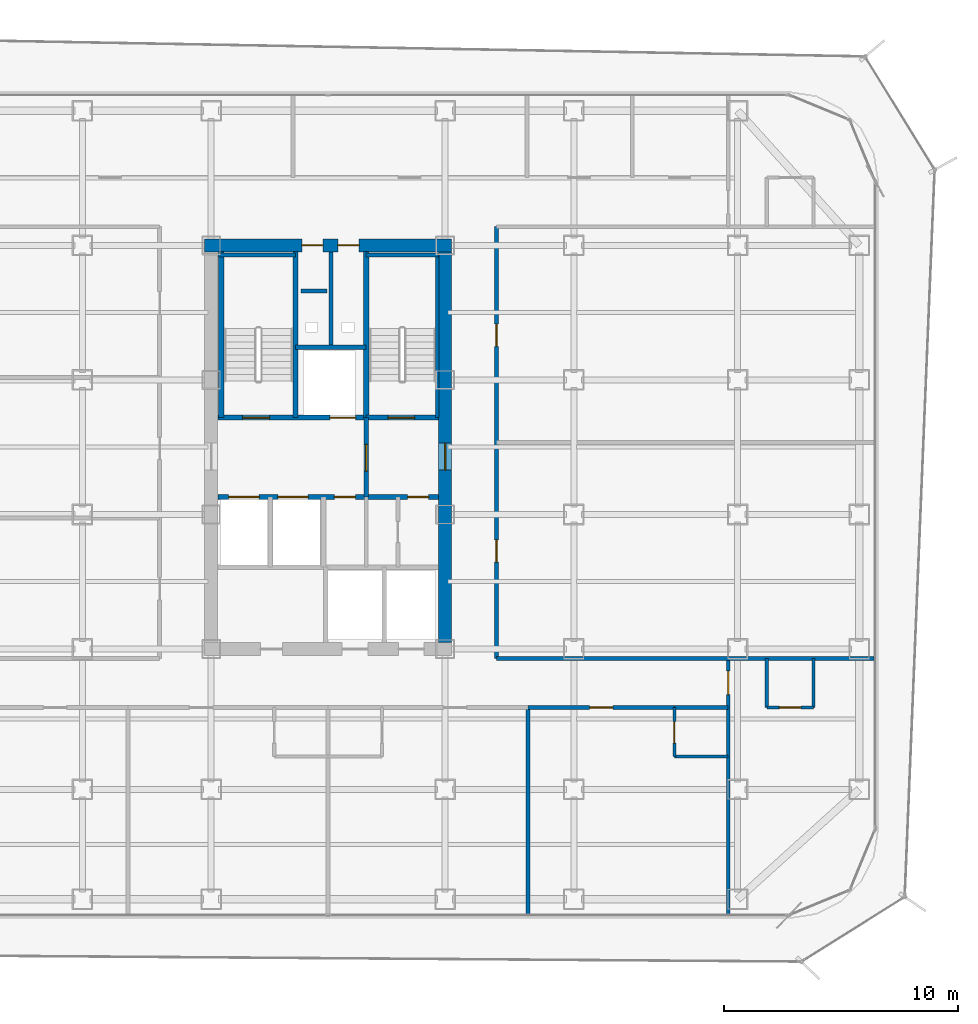
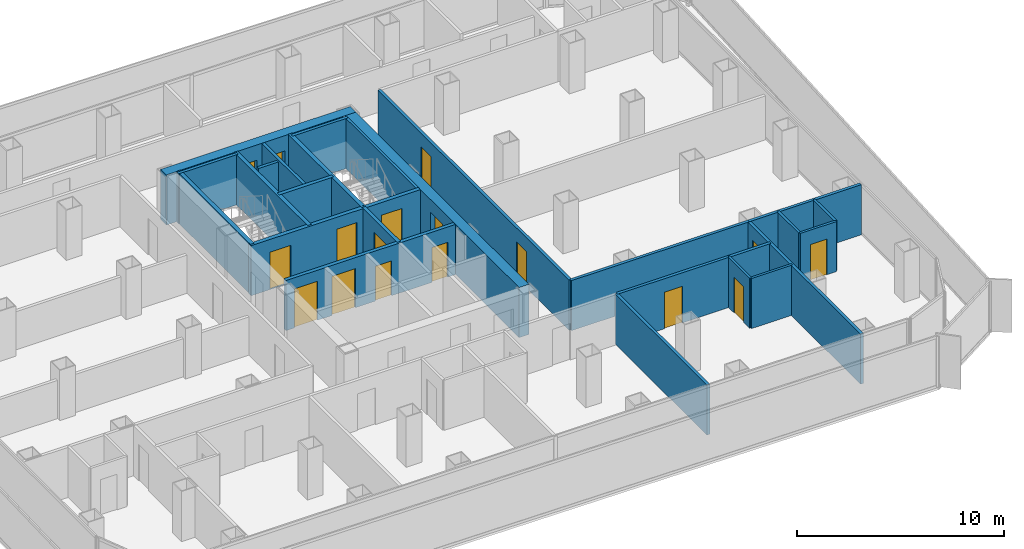
# One storey, part 17 of 21: 27 walls, 17 doors, 17 openings.
"""IFC4 building model written with IfcOpenShell, lengths in metres."""

from ifc_helpers import new_model, si_unit, direction, frame, frame_2d, origin, place, context, subcontext, project, spatial, rectangle, extrude, material, layer, layer_set, type_object, element, fill, save


model = new_model("IFC4")

# Units and contexts
model_context = context("Model", 3, precision=1e-05, world=origin(), true_north=direction((0.0, 1.0)))
body_context = subcontext(model_context, "Body", "Model", "MODEL_VIEW")
ifc_project = project(units=[si_unit("LENGTHUNIT", "METRE"), si_unit("AREAUNIT", "SQUARE_METRE"), si_unit("VOLUMEUNIT", "CUBIC_METRE"), si_unit("PLANEANGLEUNIT", "RADIAN"), si_unit("MASSUNIT", "GRAM", prefix="KILO")], contexts=[model_context])

# Site, building, storey
site_placement = place(None, origin())
site = spatial("IfcSite", under=ifc_project, at=site_placement, CompositionType="ELEMENT")
building_placement = place(site_placement, origin())
building = spatial("IfcBuilding", under=site, at=building_placement, Name="Kolveth Station Tower", CompositionType="ELEMENT")
storey_placement = place(building_placement, frame((0.0, 0.0, 105.5)))
storey = spatial("IfcBuildingStorey", under=building, at=storey_placement, Name="L28", CompositionType="ELEMENT", Elevation=105.5)

# Wall, openings, doors
ifc_material_1 = material(Name="Concrete C60/75", Category="concrete")
ifc_layer_1 = layer(ifc_material_1, 0.550048828125)
ifc_layer_set_1 = layer_set([ifc_layer_1], Name="Concrete C60/75")
wall_type_1 = type_object("IfcWallType", Name="Wall_CW-550", PredefinedType="SHEAR", material=ifc_layer_set_1)
wall_1_placement = place(storey_placement, frame((18.22509765625, 28.75, 0.0), z_axis=(0.0, 0.0, 1.0), x_axis=(1.0, 0.0, 0.0)))
wall_1 = element("IfcWall", 1, at=wall_1_placement, inside=storey, type_object=wall_type_1, Name="L28 Core RC Shear Wall N", PredefinedType="SHEAR", context=body_context, shape_type="SweptSolid", body=[
    extrude(rectangle(XDim=10.5498046875, YDim=0.550048828125, at=frame_2d((5.27490234375, 0.0))), origin(), (0.0, 0.0, 1.0), 2.949951171875),
])
opening_1_placement = place(wall_1_placement, frame((4.155029296875, 0.0, 0.0)))
opening_1 = element("IfcOpeningElement", 2, at=opening_1_placement, cuts=wall_1, Name="Opening RD1", PredefinedType="OPENING", context=body_context, shape_type="SweptSolid", body=[
    extrude(rectangle(XDim=0.89990234375, YDim=2.050048828125, at=frame_2d((0.449951171875, 1.02490234375))), frame((0.0, 0.284912109375, 0.0), z_axis=(0.0, -1.0, 0.0), x_axis=(1.0, 0.0, 0.0)), (0.0, 0.0, 1.0), 0.570068359375),
])
opening_2_placement = place(wall_1_placement, frame((5.695068359375, 0.0, 0.0)))
opening_2 = element("IfcOpeningElement", 3, at=opening_2_placement, cuts=wall_1, Name="Opening RD1", PredefinedType="OPENING", context=body_context, shape_type="SweptSolid", body=[
    extrude(rectangle(XDim=0.89990234375, YDim=2.050048828125, at=frame_2d((0.449951171875, 1.02490234375))), frame((0.0, 0.284912109375, 0.0), z_axis=(0.0, -1.0, 0.0), x_axis=(1.0, 0.0, 0.0)), (0.0, 0.0, 1.0), 0.570068359375),
])
ifc_material_2 = material(Name="Fire-rated Steel S355 riser access leaf", Category="steel")
door_type_1 = type_object("IfcDoorType", Name="Door_RD1", OperationType="NOTDEFINED", PredefinedType="DOOR", material=ifc_material_2)
door_1_placement = place(opening_1_placement, origin())
door_1 = element("IfcDoor", 4, at=door_1_placement, inside=storey, type_object=door_type_1, Name="L28 Electrical Riser Access Door", OperationType="SINGLE_SWING_LEFT", OverallHeight=2.050048828125, OverallWidth=0.89990234375, PredefinedType="DOOR", context=body_context, shape_type="SweptSolid", body=[
    extrude(rectangle(XDim=0.89990234375, YDim=2.050048828125, at=frame_2d((0.449951171875, 1.02490234375))), frame((0.0, 0.02490234375, 0.0), z_axis=(0.0, -1.0, 0.0), x_axis=(1.0, 0.0, 0.0)), (0.0, 0.0, 1.0), 0.050048828125),
])
fill(opening_1, door_1)
door_2_placement = place(opening_2_placement, origin())
door_2 = element("IfcDoor", 5, at=door_2_placement, inside=storey, type_object=door_type_1, Name="L28 Smoke Duct Access Door", OperationType="SINGLE_SWING_RIGHT", OverallHeight=2.050048828125, OverallWidth=0.89990234375, PredefinedType="DOOR", context=body_context, shape_type="SweptSolid", body=[
    extrude(rectangle(XDim=0.89990234375, YDim=2.050048828125, at=frame_2d((0.449951171875, 1.02490234375))), frame((0.0, 0.02490234375, 0.0), z_axis=(0.0, -1.0, 0.0), x_axis=(1.0, 0.0, 0.0)), (0.0, 0.0, 1.0), 0.050048828125),
])
fill(opening_2, door_2)

# Wall, opening, door
wall_2_placement = place(storey_placement, frame((28.5, 11.77490234375, 0.0), z_axis=(0.0, 0.0, 1.0), x_axis=(0.0, 1.0, 0.0)))
wall_2 = element("IfcWall", 6, at=wall_2_placement, inside=storey, type_object=wall_type_1, Name="L28 Core RC Shear Wall E", PredefinedType="SHEAR", context=body_context, shape_type="SweptSolid", body=[
    extrude(rectangle(XDim=16.7001953125, YDim=0.550048828125, at=frame_2d((8.35009765625, 0.0))), origin(), (0.0, 0.0, 1.0), 2.949951171875),
])
opening_3_placement = place(wall_2_placement, frame((7.375, 0.0, 0.0)))
opening_3 = element("IfcOpeningElement", 7, at=opening_3_placement, cuts=wall_2, Name="Opening FD1", PredefinedType="OPENING", context=body_context, shape_type="SweptSolid", body=[
    extrude(rectangle(XDim=1.14990234375, YDim=2.199951171875, at=frame_2d((0.574951171875, 1.10009765625))), frame((0.0, 0.284912109375, 0.0), z_axis=(0.0, -1.0, 0.0), x_axis=(1.0, 0.0, 0.0)), (0.0, 0.0, 1.0), 0.570068359375),
])
ifc_material_3 = material(Name="Fire-rated Steel S355 leaf and frame", Category="steel")
door_type_2 = type_object("IfcDoorType", Name="Door_FD1", OperationType="NOTDEFINED", PredefinedType="DOOR", material=ifc_material_3)
door_3_placement = place(opening_3_placement, origin())
door_3 = element("IfcDoor", 8, at=door_3_placement, inside=storey, type_object=door_type_2, Name="L28 East Corridor to Stair Lobby Door", OperationType="SINGLE_SWING_RIGHT", OverallHeight=2.199951171875, OverallWidth=1.14990234375, PredefinedType="DOOR", context=body_context, shape_type="SweptSolid", body=[
    extrude(rectangle(XDim=1.14990234375, YDim=2.199951171875, at=frame_2d((0.574951171875, 1.10009765625))), frame((0.0, 0.02490234375, 0.0), z_axis=(0.0, -1.0, 0.0), x_axis=(1.0, 0.0, 0.0)), (0.0, 0.0, 1.0), 0.050048828125),
])
fill(opening_3, door_3)

# Walls
ifc_material_4 = material(Name="Moisture-resistant gypsum partition")
ifc_layer_2 = layer(ifc_material_4, 0.135009765625)
ifc_layer_set_2 = layer_set([ifc_layer_2], Name="Moisture-resistant gypsum partition")
wall_type_2 = type_object("IfcWallType", Name="Wall_IW-135", PredefinedType="PARTITIONING", material=ifc_layer_set_2)
wall_3_placement = place(storey_placement, frame((28.16748046875, 21.389892578125, 0.0), z_axis=(0.0, 0.0, 1.0), x_axis=(0.0, 1.0, 0.0)))
element("IfcWall", 9, at=wall_3_placement, inside=storey, type_object=wall_type_2, Name="L28 Stair Shaft Wall WL-L28-ST2-E", PredefinedType="PARTITIONING", context=body_context, shape_type="SweptSolid", body=[
    extrude(rectangle(XDim=6.945068359375, YDim=0.135009765625, at=frame_2d((3.47265625, 0.0))), origin(), (0.0, 0.0, 1.0), 2.949951171875),
])
for number, where, z_axis, x_axis, name in (
    (10, (42.25, 9.0, 0.0), (0.0, 0.0, 1.0), (0.0, 1.0, 0.0), "L28 Partition Wall WL-L28-ES1-BV1"),
    (11, (44.25, 9.0, 0.0), (0.0, 0.0, 1.0), (0.0, 1.0, 0.0), "L28 Partition Wall WL-L28-ES1-BV2"),
):
    element("IfcWall", number, at=place(storey_placement, frame(where, z_axis=z_axis, x_axis=x_axis)), inside=storey, type_object=wall_type_2, Name=name, PredefinedType="PARTITIONING", context=body_context, shape_type="SweptSolid", body=[
        extrude(rectangle(XDim=2.10009765625, YDim=0.135009765625, at=frame_2d((1.050048828125, 0.0))), origin(), (0.0, 0.0, 1.0), 2.949951171875),
    ])

# Wall, opening, door
wall_4_placement = place(storey_placement, frame((42.25, 9.0, 0.0), z_axis=(0.0, 0.0, 1.0), x_axis=(1.0, 0.0, 0.0)))
wall_4 = element("IfcWall", 12, at=wall_4_placement, inside=storey, type_object=wall_type_2, Name="L28 Partition Wall WL-L28-ES1-BH", PredefinedType="PARTITIONING", context=body_context, shape_type="SweptSolid", body=[
    extrude(rectangle(XDim=2.0, YDim=0.135009765625, at=frame_2d((1.0, 0.0))), origin(), (0.0, 0.0, 1.0), 2.949951171875),
])
opening_4_placement = place(wall_4_placement, frame((0.5400390625, 0.0, 0.0)))
opening_4 = element("IfcOpeningElement", 13, at=opening_4_placement, cuts=wall_4, Name="Opening ID2", PredefinedType="OPENING", context=body_context, shape_type="SweptSolid", body=[
    extrude(rectangle(XDim=0.919921875, YDim=2.10009765625, at=frame_2d((0.4599609375, 1.050048828125))), frame((0.0, 0.077392578125, 0.0), z_axis=(0.0, -1.0, 0.0), x_axis=(1.0, 0.0, 0.0)), (0.0, 0.0, 1.0), 0.155029296875),
])
ifc_material_5 = material(Name="Moisture-resistant hardwood leaf", Category="wood")
door_type_3 = type_object("IfcDoorType", Name="Door_ID2", OperationType="NOTDEFINED", PredefinedType="DOOR", material=ifc_material_5)
door_4_placement = place(opening_4_placement, origin())
door_4 = element("IfcDoor", 14, at=door_4_placement, inside=storey, type_object=door_type_3, Name="L28 Hotel Guest Room ES1 En-Suite Door", OperationType="SINGLE_SWING_LEFT", OverallHeight=2.10009765625, OverallWidth=0.919921875, PredefinedType="DOOR", context=body_context, shape_type="SweptSolid", body=[
    extrude(rectangle(XDim=0.919921875, YDim=2.10009765625, at=frame_2d((0.4599609375, 1.050048828125))), frame((0.0, 0.02490234375, 0.0), z_axis=(0.0, -1.0, 0.0), x_axis=(1.0, 0.0, 0.0)), (0.0, 0.0, 1.0), 0.050048828125),
])
fill(opening_4, door_4)

wall_5_placement = place(storey_placement, frame((38.300048828125, 6.89990234375, 0.0), z_axis=(0.0, 0.0, 1.0), x_axis=(0.0, 1.0, 0.0)))
wall_5 = element("IfcWall", 15, at=wall_5_placement, inside=storey, type_object=wall_type_2, Name="L28 Partition Wall WL-L28-HS4-BV", PredefinedType="PARTITIONING", context=body_context, shape_type="SweptSolid", body=[
    extrude(rectangle(XDim=2.10009765625, YDim=0.135009765625, at=frame_2d((1.050048828125, 0.0))), origin(), (0.0, 0.0, 1.0), 2.949951171875),
])
opening_5_placement = place(wall_5_placement, frame((0.580078125, 0.0, 0.0)))
opening_5 = element("IfcOpeningElement", 16, at=opening_5_placement, cuts=wall_5, Name="Opening ID2", PredefinedType="OPENING", context=body_context, shape_type="SweptSolid", body=[
    extrude(rectangle(XDim=0.919921875, YDim=2.10009765625, at=frame_2d((0.4599609375, 1.050048828125))), frame((0.0, 0.077392578125, 0.0), z_axis=(0.0, -1.0, 0.0), x_axis=(1.0, 0.0, 0.0)), (0.0, 0.0, 1.0), 0.155029296875),
])
door_5_placement = place(opening_5_placement, origin())
door_5 = element("IfcDoor", 17, at=door_5_placement, inside=storey, type_object=door_type_3, Name="L28 Hotel Corner Suite HS4 En-Suite Door", OperationType="SINGLE_SWING_LEFT", OverallHeight=2.10009765625, OverallWidth=0.919921875, PredefinedType="DOOR", context=body_context, shape_type="SweptSolid", body=[
    extrude(rectangle(XDim=0.919921875, YDim=2.10009765625, at=frame_2d((0.4599609375, 1.050048828125))), frame((0.0, 0.02490234375, 0.0), z_axis=(0.0, -1.0, 0.0), x_axis=(1.0, 0.0, 0.0)), (0.0, 0.0, 1.0), 0.050048828125),
])
fill(opening_5, door_5)

# Walls
wall_6_placement = place(storey_placement, frame((38.300048828125, 6.89990234375, 0.0), z_axis=(0.0, 0.0, 1.0), x_axis=(1.0, 0.0, 0.0)))
element("IfcWall", 18, at=wall_6_placement, inside=storey, type_object=wall_type_2, Name="L28 Partition Wall WL-L28-HS4-BH", PredefinedType="PARTITIONING", context=body_context, shape_type="SweptSolid", body=[
    extrude(rectangle(XDim=2.300048828125, YDim=0.135009765625, at=frame_2d((1.14990234375, 0.0))), origin(), (0.0, 0.0, 1.0), 2.949951171875),
])
ifc_material_6 = material(Name="Acoustic double-stud gypsum partition")
ifc_layer_3 = layer(ifc_material_6, 0.1650390625)
ifc_layer_set_3 = layer_set([ifc_layer_3], Name="Acoustic double-stud gypsum partition")
wall_type_3 = type_object("IfcWallType", Name="Wall_IW-165", PredefinedType="PARTITIONING", material=ifc_layer_set_3)
wall_7_placement = place(storey_placement, frame((18.784912109375, 28.3349609375, 0.0), z_axis=(0.0, 0.0, 1.0), x_axis=(1.0, 0.0, 0.0)))
element("IfcWall", 19, at=wall_7_placement, inside=storey, type_object=wall_type_3, Name="L28 Stair Shaft Wall WL-L28-ST1-N", PredefinedType="PARTITIONING", context=body_context, shape_type="SweptSolid", body=[
    extrude(rectangle(XDim=3.3251953125, YDim=0.1650390625, at=frame_2d((1.66259765625, 0.0))), origin(), (0.0, 0.0, 1.0), 2.949951171875),
])
wall_8_placement = place(storey_placement, frame((25.1298828125, 28.3349609375, 0.0), z_axis=(0.0, 0.0, 1.0), x_axis=(1.0, 0.0, 0.0)))
element("IfcWall", 20, at=wall_8_placement, inside=storey, type_object=wall_type_3, Name="L28 Stair Shaft Wall WL-L28-ST2-N", PredefinedType="PARTITIONING", context=body_context, shape_type="SweptSolid", body=[
    extrude(rectangle(XDim=3.085205078125, YDim=0.1650390625, at=frame_2d((1.54248046875, 0.0))), origin(), (0.0, 0.0, 1.0), 2.949951171875),
])
wall_9_placement = place(storey_placement, frame((23.6201171875, 24.39990234375, 0.0), z_axis=(0.0, 0.0, 1.0), x_axis=(0.0, 1.0, 0.0)))
element("IfcWall", 21, at=wall_9_placement, inside=storey, type_object=wall_type_3, Name="L28 Partition Wall WL-L28-RSR-M", PredefinedType="PARTITIONING", context=body_context, shape_type="SweptSolid", body=[
    extrude(rectangle(XDim=4.065185546875, YDim=0.1650390625, at=frame_2d((2.03271484375, 0.0))), origin(), (0.0, 0.0, 1.0), 2.949951171875),
])
wall_10_placement = place(storey_placement, frame((30.699951171875, 11.10009765625, 0.0), z_axis=(0.0, 0.0, 1.0), x_axis=(1.0, 0.0, 0.0)))
element("IfcWall", 22, at=wall_10_placement, inside=storey, type_object=wall_type_3, Name="L28 Partition Wall WL-L28-HSET", PredefinedType="PARTITIONING", context=body_context, shape_type="SweptSolid", body=[
    extrude(rectangle(XDim=9.900146484375, YDim=0.1650390625, at=frame_2d((4.9501953125, 0.0))), origin(), (0.0, 0.0, 1.0), 2.949951171875),
])

# Wall, openings, doors
wall_11_placement = place(storey_placement, frame((30.699951171875, 11.10009765625, 0.0), z_axis=(0.0, 0.0, 1.0), x_axis=(0.0, 1.0, 0.0)))
wall_11 = element("IfcWall", 23, at=wall_11_placement, inside=storey, type_object=wall_type_3, Name="L28 Partition Wall WL-L28-HE", PredefinedType="PARTITIONING", context=body_context, shape_type="SweptSolid", body=[
    extrude(rectangle(XDim=18.449951171875, YDim=0.1650390625, at=frame_2d((9.22509765625, 0.0))), origin(), (0.0, 0.0, 1.0), 2.949951171875),
])
opening_6_placement = place(wall_11_placement, frame((4.112060546875, 0.0, 0.0)))
opening_6 = element("IfcOpeningElement", 24, at=opening_6_placement, cuts=wall_11, Name="Opening ID1", PredefinedType="OPENING", context=body_context, shape_type="SweptSolid", body=[
    extrude(rectangle(XDim=0.949951171875, YDim=2.14990234375, at=frame_2d((0.47509765625, 1.074951171875))), frame((0.0, 0.092529296875, 0.0), z_axis=(0.0, -1.0, 0.0), x_axis=(1.0, 0.0, 0.0)), (0.0, 0.0, 1.0), 0.18505859375),
])
opening_7_placement = place(wall_11_placement, frame((13.337890625, 0.0, 0.0)))
opening_7 = element("IfcOpeningElement", 25, at=opening_7_placement, cuts=wall_11, Name="Opening ID1", PredefinedType="OPENING", context=body_context, shape_type="SweptSolid", body=[
    extrude(rectangle(XDim=0.949951171875, YDim=2.14990234375, at=frame_2d((0.47509765625, 1.074951171875))), frame((0.0, 0.092529296875, 0.0), z_axis=(0.0, -1.0, 0.0), x_axis=(1.0, 0.0, 0.0)), (0.0, 0.0, 1.0), 0.18505859375),
])
ifc_material_7 = material(Name="Acoustic hardwood leaf and aluminium frame", Category="wood")
door_type_4 = type_object("IfcDoorType", Name="Door_ID1", OperationType="NOTDEFINED", PredefinedType="DOOR", material=ifc_material_7)
door_6_placement = place(opening_6_placement, origin())
door_6 = element("IfcDoor", 26, at=door_6_placement, inside=storey, type_object=door_type_4, Name="L28 Boardroom East 1 Door", OperationType="SINGLE_SWING_LEFT", OverallHeight=2.14990234375, OverallWidth=0.949951171875, PredefinedType="DOOR", context=body_context, shape_type="SweptSolid", body=[
    extrude(rectangle(XDim=0.949951171875, YDim=2.14990234375, at=frame_2d((0.47509765625, 1.074951171875))), frame((0.0, 0.02490234375, 0.0), z_axis=(0.0, -1.0, 0.0), x_axis=(1.0, 0.0, 0.0)), (0.0, 0.0, 1.0), 0.050048828125),
])
fill(opening_6, door_6)
door_7_placement = place(opening_7_placement, origin())
door_7 = element("IfcDoor", 27, at=door_7_placement, inside=storey, type_object=door_type_4, Name="L28 Boardroom East 2 Door", OperationType="SINGLE_SWING_LEFT", OverallHeight=2.14990234375, OverallWidth=0.949951171875, PredefinedType="DOOR", context=body_context, shape_type="SweptSolid", body=[
    extrude(rectangle(XDim=0.949951171875, YDim=2.14990234375, at=frame_2d((0.47509765625, 1.074951171875))), frame((0.0, 0.02490234375, 0.0), z_axis=(0.0, -1.0, 0.0), x_axis=(1.0, 0.0, 0.0)), (0.0, 0.0, 1.0), 0.050048828125),
])
fill(opening_7, door_7)

# Wall, opening, door
wall_12_placement = place(storey_placement, frame((40.60009765625, 0.159912109375, 0.0), z_axis=(0.0, 0.0, 1.0), x_axis=(0.0, 1.0, 0.0)))
wall_12 = element("IfcWall", 28, at=wall_12_placement, inside=storey, type_object=wall_type_3, Name="L28 Partition Wall WL-L28-END-ES", PredefinedType="PARTITIONING", context=body_context, shape_type="SweptSolid", body=[
    extrude(rectangle(XDim=10.940185546875, YDim=0.1650390625, at=frame_2d((5.47021484375, 0.0))), origin(), (0.0, 0.0, 1.0), 2.949951171875),
])
opening_8_placement = place(wall_12_placement, frame((9.389892578125, 0.0, 0.0)))
opening_8 = element("IfcOpeningElement", 29, at=opening_8_placement, cuts=wall_12, Name="Opening FD3", PredefinedType="OPENING", context=body_context, shape_type="SweptSolid", body=[
    extrude(rectangle(XDim=1.0, YDim=2.14990234375, at=frame_2d((0.5, 1.074951171875))), frame((0.0, 0.092529296875, 0.0), z_axis=(0.0, -1.0, 0.0), x_axis=(1.0, 0.0, 0.0)), (0.0, 0.0, 1.0), 0.18505859375),
])
ifc_material_8 = material(Name="Fire-rated hardwood leaf and aluminium frame", Category="wood")
door_type_5 = type_object("IfcDoorType", Name="Door_FD3", OperationType="NOTDEFINED", PredefinedType="DOOR", material=ifc_material_8)
door_8_placement = place(opening_8_placement, frame((1.0, 0.0, 0.0), z_axis=(0.0, 0.0, 1.0), x_axis=(-1.0, 0.0, 0.0)))
door_8 = element("IfcDoor", 30, at=door_8_placement, inside=storey, type_object=door_type_5, Name="L28 Hotel Guest Room ES1 Entrance Door", OperationType="SINGLE_SWING_LEFT", OverallHeight=2.14990234375, OverallWidth=1.0, PredefinedType="DOOR", context=body_context, shape_type="SweptSolid", body=[
    extrude(rectangle(XDim=1.0, YDim=2.14990234375, at=frame_2d((0.5, 1.074951171875))), frame((0.0, 0.02490234375, 0.0), z_axis=(0.0, -1.0, 0.0), x_axis=(1.0, 0.0, 0.0)), (0.0, 0.0, 1.0), 0.050048828125),
])
fill(opening_8, door_8)

# Walls
wall_13_placement = place(storey_placement, frame((40.60009765625, 11.10009765625, 0.0), z_axis=(0.0, 0.0, 1.0), x_axis=(1.0, 0.0, 0.0)))
element("IfcWall", 31, at=wall_13_placement, inside=storey, type_object=wall_type_3, Name="L28 Partition Wall WL-L28-EM1", PredefinedType="PARTITIONING", context=body_context, shape_type="SweptSolid", body=[
    extrude(rectangle(XDim=6.239990234375, YDim=0.1650390625, at=frame_2d((3.1201171875, 0.0))), origin(), (0.0, 0.0, 1.0), 2.949951171875),
])
wall_14_placement = place(storey_placement, frame((32.050048828125, 0.159912109375, 0.0), z_axis=(0.0, 0.0, 1.0), x_axis=(0.0, 1.0, 0.0)))
element("IfcWall", 32, at=wall_14_placement, inside=storey, type_object=wall_type_3, Name="L28 Partition Wall WL-L28-HSK-3", PredefinedType="PARTITIONING", context=body_context, shape_type="SweptSolid", body=[
    extrude(rectangle(XDim=8.840087890625, YDim=0.1650390625, at=frame_2d((4.419921875, 0.0))), origin(), (0.0, 0.0, 1.0), 2.949951171875),
])
wall_15_placement = place(storey_placement, frame((38.300048828125, 9.0, 0.0), z_axis=(0.0, 0.0, 1.0), x_axis=(1.0, 0.0, 0.0)))
element("IfcWall", 33, at=wall_15_placement, inside=storey, type_object=wall_type_3, Name="L28 Partition Wall WL-L28-HS4-BCOR", PredefinedType="PARTITIONING", context=body_context, shape_type="SweptSolid", body=[
    extrude(rectangle(XDim=2.300048828125, YDim=0.1650390625, at=frame_2d((1.14990234375, 0.0))), origin(), (0.0, 0.0, 1.0), 2.949951171875),
])

# Wall, opening, door
wall_16_placement = place(storey_placement, frame((32.050048828125, 9.0, 0.0), z_axis=(0.0, 0.0, 1.0), x_axis=(1.0, 0.0, 0.0)))
wall_16 = element("IfcWall", 34, at=wall_16_placement, inside=storey, type_object=wall_type_3, Name="L28 Partition Wall WL-L28-HS4-RCOR", PredefinedType="PARTITIONING", context=body_context, shape_type="SweptSolid", body=[
    extrude(rectangle(XDim=6.25, YDim=0.1650390625, at=frame_2d((3.125, 0.0))), origin(), (0.0, 0.0, 1.0), 2.949951171875),
])
opening_9_placement = place(wall_16_placement, frame((2.625, 0.0, 0.0)))
opening_9 = element("IfcOpeningElement", 35, at=opening_9_placement, cuts=wall_16, Name="Opening FD3", PredefinedType="OPENING", context=body_context, shape_type="SweptSolid", body=[
    extrude(rectangle(XDim=1.0, YDim=2.14990234375, at=frame_2d((0.5, 1.074951171875))), frame((0.0, 0.092529296875, 0.0), z_axis=(0.0, -1.0, 0.0), x_axis=(1.0, 0.0, 0.0)), (0.0, 0.0, 1.0), 0.18505859375),
])
door_9_placement = place(opening_9_placement, frame((1.0, 0.0, 0.0), z_axis=(0.0, 0.0, 1.0), x_axis=(-1.0, 0.0, 0.0)))
door_9 = element("IfcDoor", 36, at=door_9_placement, inside=storey, type_object=door_type_5, Name="L28 Hotel Corner Suite HS4 Entrance Door", OperationType="SINGLE_SWING_LEFT", OverallHeight=2.14990234375, OverallWidth=1.0, PredefinedType="DOOR", context=body_context, shape_type="SweptSolid", body=[
    extrude(rectangle(XDim=1.0, YDim=2.14990234375, at=frame_2d((0.5, 1.074951171875))), frame((0.0, 0.02490234375, 0.0), z_axis=(0.0, -1.0, 0.0), x_axis=(1.0, 0.0, 0.0)), (0.0, 0.0, 1.0), 0.050048828125),
])
fill(opening_9, door_9)

# Walls
wall_17_placement = place(storey_placement, frame((22.35009765625, 26.800048828125, 0.0), z_axis=(0.0, 0.0, 1.0), x_axis=(1.0, 0.0, 0.0)))
element("IfcWall", 37, at=wall_17_placement, inside=storey, type_object=wall_type_3, Name="L28 Acoustic Riser Dry-Lining Wall", PredefinedType="PARTITIONING", context=body_context, shape_type="SweptSolid", body=[
    extrude(rectangle(XDim=1.099853515625, YDim=0.1650390625, at=frame_2d((0.5498046875, 0.0))), origin(), (0.0, 0.0, 1.0), 2.949951171875),
])
ifc_material_9 = material(Name="Acoustic fire-rated gypsum blockwork", Category="masonry")
ifc_layer_4 = layer(ifc_material_9, 0.199951171875)
ifc_layer_set_4 = layer_set([ifc_layer_4], Name="Acoustic fire-rated gypsum blockwork")
wall_type_4 = type_object("IfcWallType", Name="Wall_IW-200", PredefinedType="PARTITIONING", material=ifc_layer_set_4)
wall_18_placement = place(storey_placement, frame((22.110107421875, 24.39990234375, 0.0), z_axis=(0.0, 0.0, 1.0), x_axis=(1.0, 0.0, 0.0)))
element("IfcWall", 38, at=wall_18_placement, inside=storey, type_object=wall_type_4, Name="L28 Partition Wall WL-L28-RSR-S", PredefinedType="PARTITIONING", context=body_context, shape_type="SweptSolid", body=[
    extrude(rectangle(XDim=3.019775390625, YDim=0.199951171875, at=frame_2d((1.509765625, 0.0))), origin(), (0.0, 0.0, 1.0), 2.949951171875),
])

# Wall, opening, door
wall_19_placement = place(storey_placement, frame((25.1298828125, 18.0, 0.0), z_axis=(0.0, 0.0, 1.0), x_axis=(0.0, 1.0, 0.0)))
wall_19 = element("IfcWall", 39, at=wall_19_placement, inside=storey, type_object=wall_type_4, Name="L28 Partition Wall WL-L28-FFL-E", PredefinedType="PARTITIONING", context=body_context, shape_type="SweptSolid", body=[
    extrude(rectangle(XDim=3.389892578125, YDim=0.199951171875, at=frame_2d((1.69482421875, 0.0))), origin(), (0.0, 0.0, 1.0), 2.949951171875),
])
opening_10_placement = place(wall_19_placement, frame((1.10009765625, 0.0, 0.0)))
opening_10 = element("IfcOpeningElement", 40, at=opening_10_placement, cuts=wall_19, Name="Opening FD1", PredefinedType="OPENING", context=body_context, shape_type="SweptSolid", body=[
    extrude(rectangle(XDim=1.14990234375, YDim=2.199951171875, at=frame_2d((0.574951171875, 1.10009765625))), frame((0.0, 0.10986328125, 0.0), z_axis=(0.0, -1.0, 0.0), x_axis=(1.0, 0.0, 0.0)), (0.0, 0.0, 1.0), 0.219970703125),
])
door_10_placement = place(opening_10_placement, origin())
door_10 = element("IfcDoor", 41, at=door_10_placement, inside=storey, type_object=door_type_2, Name="L28 Firefighting to Stair Lobby Door", OperationType="SINGLE_SWING_LEFT", OverallHeight=2.199951171875, OverallWidth=1.14990234375, PredefinedType="DOOR", context=body_context, shape_type="SweptSolid", body=[
    extrude(rectangle(XDim=1.14990234375, YDim=2.199951171875, at=frame_2d((0.574951171875, 1.10009765625))), frame((0.0, 0.02490234375, 0.0), z_axis=(0.0, -1.0, 0.0), x_axis=(1.0, 0.0, 0.0)), (0.0, 0.0, 1.0), 0.050048828125),
])
fill(opening_10, door_10)

# Wall, openings, doors
wall_20_placement = place(storey_placement, frame((18.784912109375, 18.0, 0.0), z_axis=(0.0, 0.0, 1.0), x_axis=(1.0, 0.0, 0.0)))
wall_20 = element("IfcWall", 42, at=wall_20_placement, inside=storey, type_object=wall_type_4, Name="L28 Partition Wall WL-L28-FFL-S", PredefinedType="PARTITIONING", context=body_context, shape_type="SweptSolid", body=[
    extrude(rectangle(XDim=9.43017578125, YDim=0.199951171875, at=frame_2d((4.715087890625, 0.0))), origin(), (0.0, 0.0, 1.0), 2.949951171875),
])
opening_11_placement = place(wall_20_placement, frame((0.465087890625, 0.0, 0.0)))
opening_11 = element("IfcOpeningElement", 43, at=opening_11_placement, cuts=wall_20, Name="Opening LD2", PredefinedType="OPENING", context=body_context, shape_type="SweptSolid", body=[
    extrude(rectangle(XDim=1.300048828125, YDim=2.300048828125, at=frame_2d((0.64990234375, 1.14990234375))), frame((0.0, 0.10986328125, 0.0), z_axis=(0.0, -1.0, 0.0), x_axis=(1.0, 0.0, 0.0)), (0.0, 0.0, 1.0), 0.219970703125),
])
opening_12_placement = place(wall_20_placement, frame((2.56494140625, 0.0, 0.0)))
opening_12 = element("IfcOpeningElement", 44, at=opening_12_placement, cuts=wall_20, Name="Opening LD2", PredefinedType="OPENING", context=body_context, shape_type="SweptSolid", body=[
    extrude(rectangle(XDim=1.300048828125, YDim=2.300048828125, at=frame_2d((0.64990234375, 1.14990234375))), frame((0.0, 0.10986328125, 0.0), z_axis=(0.0, -1.0, 0.0), x_axis=(1.0, 0.0, 0.0)), (0.0, 0.0, 1.0), 0.219970703125),
])
opening_13_placement = place(wall_20_placement, frame((4.985107421875, 0.0, 0.0)))
opening_13 = element("IfcOpeningElement", 45, at=opening_13_placement, cuts=wall_20, Name="Opening RD1", PredefinedType="OPENING", context=body_context, shape_type="SweptSolid", body=[
    extrude(rectangle(XDim=0.89990234375, YDim=2.050048828125, at=frame_2d((0.449951171875, 1.02490234375))), frame((0.0, 0.10986328125, 0.0), z_axis=(0.0, -1.0, 0.0), x_axis=(1.0, 0.0, 0.0)), (0.0, 0.0, 1.0), 0.219970703125),
])
opening_14_placement = place(wall_20_placement, frame((8.114990234375, 0.0, 0.0)))
opening_14 = element("IfcOpeningElement", 46, at=opening_14_placement, cuts=wall_20, Name="Opening RD1", PredefinedType="OPENING", context=body_context, shape_type="SweptSolid", body=[
    extrude(rectangle(XDim=0.89990234375, YDim=2.050048828125, at=frame_2d((0.449951171875, 1.02490234375))), frame((0.0, 0.10986328125, 0.0), z_axis=(0.0, -1.0, 0.0), x_axis=(1.0, 0.0, 0.0)), (0.0, 0.0, 1.0), 0.219970703125),
])
ifc_material_10 = material(Name="Firefighting stainless steel sliding landing doors", Category="steel")
door_type_6 = type_object("IfcDoorType", Name="Door_LD2", OperationType="NOTDEFINED", PredefinedType="DOOR", material=ifc_material_10)
door_11_placement = place(opening_11_placement, origin())
door_11 = element("IfcDoor", 47, at=door_11_placement, inside=storey, type_object=door_type_6, Name="L28 Firefighting Lift FF1 Landing Door", OperationType="DOUBLE_DOOR_SLIDING", OverallHeight=2.300048828125, OverallWidth=1.300048828125, PredefinedType="DOOR", context=body_context, shape_type="SweptSolid", body=[
    extrude(rectangle(XDim=1.300048828125, YDim=2.300048828125, at=frame_2d((0.64990234375, 1.14990234375))), frame((0.0, 0.02490234375, 0.0), z_axis=(0.0, -1.0, 0.0), x_axis=(1.0, 0.0, 0.0)), (0.0, 0.0, 1.0), 0.050048828125),
])
fill(opening_11, door_11)
door_12_placement = place(opening_12_placement, origin())
door_12 = element("IfcDoor", 48, at=door_12_placement, inside=storey, type_object=door_type_6, Name="L28 Firefighting Lift FF2 Landing Door", OperationType="DOUBLE_DOOR_SLIDING", OverallHeight=2.300048828125, OverallWidth=1.300048828125, PredefinedType="DOOR", context=body_context, shape_type="SweptSolid", body=[
    extrude(rectangle(XDim=1.300048828125, YDim=2.300048828125, at=frame_2d((0.64990234375, 1.14990234375))), frame((0.0, 0.02490234375, 0.0), z_axis=(0.0, -1.0, 0.0), x_axis=(1.0, 0.0, 0.0)), (0.0, 0.0, 1.0), 0.050048828125),
])
fill(opening_12, door_12)
door_13_placement = place(opening_13_placement, frame((0.89990234375, 0.0, 0.0), z_axis=(0.0, 0.0, 1.0), x_axis=(-1.0, 0.0, 0.0)))
door_13 = element("IfcDoor", 49, at=door_13_placement, inside=storey, type_object=door_type_1, Name="L28 Core Staff WC Door", OperationType="SINGLE_SWING_RIGHT", OverallHeight=2.050048828125, OverallWidth=0.89990234375, PredefinedType="DOOR", context=body_context, shape_type="SweptSolid", body=[
    extrude(rectangle(XDim=0.89990234375, YDim=2.050048828125, at=frame_2d((0.449951171875, 1.02490234375))), frame((0.0, 0.02490234375, 0.0), z_axis=(0.0, -1.0, 0.0), x_axis=(1.0, 0.0, 0.0)), (0.0, 0.0, 1.0), 0.050048828125),
])
fill(opening_13, door_13)
door_14_placement = place(opening_14_placement, frame((0.89990234375, 0.0, 0.0), z_axis=(0.0, 0.0, 1.0), x_axis=(-1.0, 0.0, 0.0)))
door_14 = element("IfcDoor", 50, at=door_14_placement, inside=storey, type_object=door_type_1, Name="L28 Housekeeping and Linen Room Door", OperationType="SINGLE_SWING_LEFT", OverallHeight=2.050048828125, OverallWidth=0.89990234375, PredefinedType="DOOR", context=body_context, shape_type="SweptSolid", body=[
    extrude(rectangle(XDim=0.89990234375, YDim=2.050048828125, at=frame_2d((0.449951171875, 1.02490234375))), frame((0.0, 0.02490234375, 0.0), z_axis=(0.0, -1.0, 0.0), x_axis=(1.0, 0.0, 0.0)), (0.0, 0.0, 1.0), 0.050048828125),
])
fill(opening_14, door_14)

# Walls
ifc_material_11 = material(Name="Concrete C40/50", Category="concrete")
ifc_layer_5 = layer(ifc_material_11, 0.219970703125)
ifc_layer_set_5 = layer_set([ifc_layer_5], Name="Concrete C40/50")
wall_type_5 = type_object("IfcWallType", Name="Wall_IW-220", PredefinedType="SOLIDWALL", material=ifc_layer_set_5)
for number, where, z_axis, x_axis, name in (
    (51, (18.929931640625, 21.389892578125, 0.0), (0.0, 0.0, 1.0), (0.0, 1.0, 0.0), "L28 Stair Shaft Wall WL-L28-ST1-W"),
    (52, (22.110107421875, 21.389892578125, 0.0), (0.0, 0.0, 1.0), (0.0, 1.0, 0.0), "L28 Stair Shaft Wall WL-L28-ST1-E"),
    (53, (25.1298828125, 21.389892578125, 0.0), (0.0, 0.0, 1.0), (0.0, 1.0, 0.0), "L28 Stair Shaft Wall WL-L28-ST2-W"),
):
    element("IfcWall", number, at=place(storey_placement, frame(where, z_axis=z_axis, x_axis=x_axis)), inside=storey, type_object=wall_type_5, Name=name, PredefinedType="SOLIDWALL", context=body_context, shape_type="SweptSolid", body=[
        extrude(rectangle(XDim=7.110107421875, YDim=0.219970703125, at=frame_2d((3.55517578125, 0.0))), origin(), (0.0, 0.0, 1.0), 2.949951171875),
    ])

# Wall, openings, doors
wall_21_placement = place(storey_placement, frame((18.784912109375, 21.389892578125, 0.0), z_axis=(0.0, 0.0, 1.0), x_axis=(1.0, 0.0, 0.0)))
wall_21 = element("IfcWall", 54, at=wall_21_placement, inside=storey, type_object=wall_type_5, Name="L28 Stair Shaft Wall WL-L28-ST1-S", PredefinedType="SOLIDWALL", context=body_context, shape_type="SweptSolid", body=[
    extrude(rectangle(XDim=6.344970703125, YDim=0.219970703125, at=frame_2d((3.17236328125, 0.0))), origin(), (0.0, 0.0, 1.0), 2.949951171875),
])
opening_15_placement = place(wall_21_placement, frame((1.06494140625, 0.0, 0.0)))
opening_15 = element("IfcOpeningElement", 55, at=opening_15_placement, cuts=wall_21, Name="Opening FD1", PredefinedType="OPENING", context=body_context, shape_type="SweptSolid", body=[
    extrude(rectangle(XDim=1.14990234375, YDim=2.199951171875, at=frame_2d((0.574951171875, 1.10009765625))), frame((0.0, 0.119873046875, 0.0), z_axis=(0.0, -1.0, 0.0), x_axis=(1.0, 0.0, 0.0)), (0.0, 0.0, 1.0), 0.239990234375),
])
opening_16_placement = place(wall_21_placement, frame((4.794921875, 0.0, 0.0)))
opening_16 = element("IfcOpeningElement", 56, at=opening_16_placement, cuts=wall_21, Name="Opening LD1", PredefinedType="OPENING", context=body_context, shape_type="SweptSolid", body=[
    extrude(rectangle(XDim=1.10009765625, YDim=2.25, at=frame_2d((0.550048828125, 1.125))), frame((0.0, 0.119873046875, 0.0), z_axis=(0.0, -1.0, 0.0), x_axis=(1.0, 0.0, 0.0)), (0.0, 0.0, 1.0), 0.239990234375),
])
door_15_placement = place(opening_15_placement, frame((1.14990234375, 0.0, 0.0), z_axis=(0.0, 0.0, 1.0), x_axis=(-1.0, 0.0, 0.0)))
door_15 = element("IfcDoor", 57, at=door_15_placement, inside=storey, type_object=door_type_2, Name="L28 Stair ST1 Fire Door", OperationType="SINGLE_SWING_LEFT", OverallHeight=2.199951171875, OverallWidth=1.14990234375, PredefinedType="DOOR", context=body_context, shape_type="SweptSolid", body=[
    extrude(rectangle(XDim=1.14990234375, YDim=2.199951171875, at=frame_2d((0.574951171875, 1.10009765625))), frame((0.0, 0.02490234375, 0.0), z_axis=(0.0, -1.0, 0.0), x_axis=(1.0, 0.0, 0.0)), (0.0, 0.0, 1.0), 0.050048828125),
])
fill(opening_15, door_15)
ifc_material_12 = material(Name="Brushed stainless steel sliding landing doors", Category="steel")
door_type_7 = type_object("IfcDoorType", Name="Door_LD1", OperationType="NOTDEFINED", PredefinedType="DOOR", material=ifc_material_12)
door_16_placement = place(opening_16_placement, frame((1.10009765625, 0.0, 0.0), z_axis=(0.0, 0.0, 1.0), x_axis=(-1.0, 0.0, 0.0)))
door_16 = element("IfcDoor", 58, at=door_16_placement, inside=storey, type_object=door_type_7, Name="L28 Service Lift SV1 Landing Door", OperationType="DOUBLE_DOOR_SLIDING", OverallHeight=2.25, OverallWidth=1.10009765625, PredefinedType="DOOR", context=body_context, shape_type="SweptSolid", body=[
    extrude(rectangle(XDim=1.10009765625, YDim=2.25, at=frame_2d((0.550048828125, 1.125))), frame((0.0, 0.02490234375, 0.0), z_axis=(0.0, -1.0, 0.0), x_axis=(1.0, 0.0, 0.0)), (0.0, 0.0, 1.0), 0.050048828125),
])
fill(opening_16, door_16)

# Wall, opening, door
wall_22_placement = place(storey_placement, frame((25.1298828125, 21.389892578125, 0.0), z_axis=(0.0, 0.0, 1.0), x_axis=(1.0, 0.0, 0.0)))
wall_22 = element("IfcWall", 59, at=wall_22_placement, inside=storey, type_object=wall_type_5, Name="L28 Stair Shaft Wall WL-L28-ST2-S", PredefinedType="SOLIDWALL", context=body_context, shape_type="SweptSolid", body=[
    extrude(rectangle(XDim=3.085205078125, YDim=0.219970703125, at=frame_2d((1.54248046875, 0.0))), origin(), (0.0, 0.0, 1.0), 2.949951171875),
])
opening_17_placement = place(wall_22_placement, frame((0.919921875, 0.0, 0.0)))
opening_17 = element("IfcOpeningElement", 60, at=opening_17_placement, cuts=wall_22, Name="Opening FD1", PredefinedType="OPENING", context=body_context, shape_type="SweptSolid", body=[
    extrude(rectangle(XDim=1.14990234375, YDim=2.199951171875, at=frame_2d((0.574951171875, 1.10009765625))), frame((0.0, 0.119873046875, 0.0), z_axis=(0.0, -1.0, 0.0), x_axis=(1.0, 0.0, 0.0)), (0.0, 0.0, 1.0), 0.239990234375),
])
door_17_placement = place(opening_17_placement, frame((1.14990234375, 0.0, 0.0), z_axis=(0.0, 0.0, 1.0), x_axis=(-1.0, 0.0, 0.0)))
door_17 = element("IfcDoor", 61, at=door_17_placement, inside=storey, type_object=door_type_2, Name="L28 Stair ST2 Fire Door", OperationType="SINGLE_SWING_RIGHT", OverallHeight=2.199951171875, OverallWidth=1.14990234375, PredefinedType="DOOR", context=body_context, shape_type="SweptSolid", body=[
    extrude(rectangle(XDim=1.14990234375, YDim=2.199951171875, at=frame_2d((0.574951171875, 1.10009765625))), frame((0.0, 0.02490234375, 0.0), z_axis=(0.0, -1.0, 0.0), x_axis=(1.0, 0.0, 0.0)), (0.0, 0.0, 1.0), 0.050048828125),
])
fill(opening_17, door_17)

save(model, "model.ifc")
